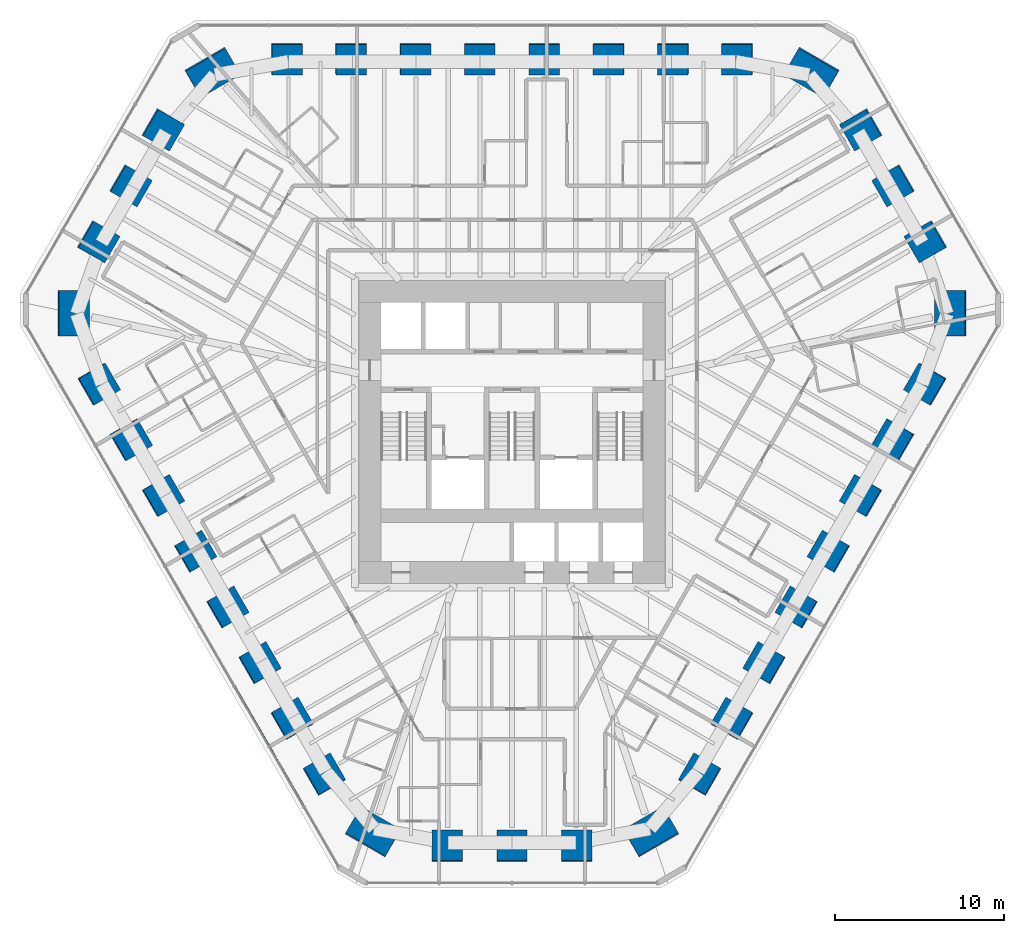
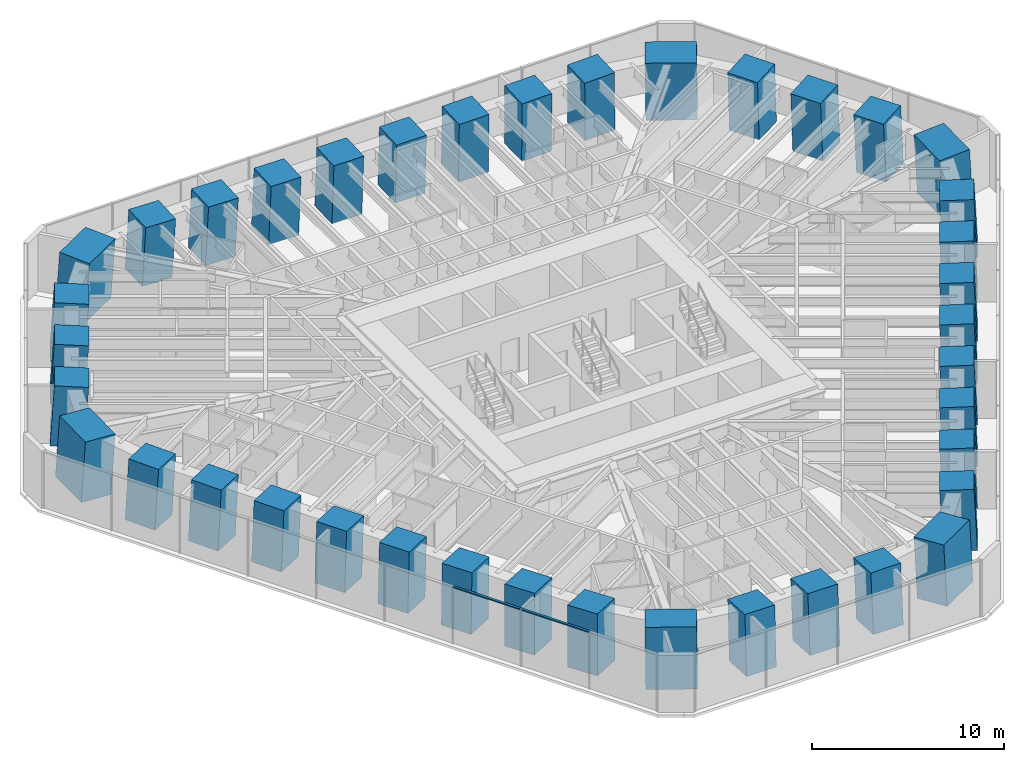
# One storey, part 1 of 17: 39 columns, 2 members, 1 element without a shape of its own.
"""IFC4 building model written with IfcOpenShell, lengths in metres."""

from ifc_helpers import new_model, si_unit, direction, frame, origin, origin_2d, place, context, subcontext, project, spatial, rectangle, extrude, material, material_profile, profile_set, type_object, element, aggregate, save


model = new_model("IFC4")

# Units and contexts
model_context = context("Model", 3, precision=1e-05, world=origin(), true_north=direction((0.0, 1.0)))
body_context = subcontext(model_context, "Body", "Model", "MODEL_VIEW")
ifc_project = project(units=[si_unit("LENGTHUNIT", "METRE"), si_unit("AREAUNIT", "SQUARE_METRE"), si_unit("VOLUMEUNIT", "CUBIC_METRE"), si_unit("PLANEANGLEUNIT", "RADIAN"), si_unit("MASSUNIT", "GRAM", prefix="KILO")], contexts=[model_context])

# Site, building, storey
site_placement = place(None, origin())
site = spatial("IfcSite", under=ifc_project, at=site_placement, CompositionType="ELEMENT")
building_placement = place(site_placement, origin())
building = spatial("IfcBuilding", under=site, at=building_placement, Name="Sandreach Pilgrim Tower", CompositionType="ELEMENT")
storey_placement = place(building_placement, frame((0.0, 0.0, 165.199951171875)))
storey = spatial("IfcBuildingStorey", under=building, at=storey_placement, Name="L41", CompositionType="ELEMENT", Elevation=165.199951171875)

# Columns
ifc_material_1 = material(Name="Concrete 10000 psi", Category="concrete")
ifc_material_profile_1 = material_profile(ifc_material_1, rectangle(XDim=1.800048828125, YDim=1.800048828125, at=origin_2d()), Name="RC1800X1800")
ifc_profile_set_1 = profile_set([ifc_material_profile_1], Name="Concrete 10000 psi")
column_type_1 = type_object("IfcColumnType", Name="Raked tube column RC1800X1800", PredefinedType="COLUMN", material=ifc_profile_set_1)
column_1_placement = place(storey_placement, frame((-13.32080078125, 20.51171875, 0.0), z_axis=(0.030661135463, -0.047274595892, 0.998411241601), x_axis=(0.002050973072, 0.99888175137, 0.047233889215)))
element("IfcColumn", 1, at=column_1_placement, inside=storey, type_object=column_type_1, Name="COL L41 T01", PredefinedType="COLUMN", context=body_context, shape_type="SweptSolid", body=[
    extrude(rectangle(XDim=1.800048828125, YDim=1.800048828125, at=origin_2d()), origin(), (0.0, 0.0, 1.0), 3.80615234375),
])
column_2_placement = place(storey_placement, frame((-9.51513671875, 20.511962890625, 0.0), z_axis=(0.021942566414, -0.047221429475, 0.998643410021), x_axis=(0.000382067755, 0.998884231529, 0.047224421923)))
element("IfcColumn", 2, at=column_2_placement, inside=storey, type_object=column_type_1, Name="COL L41 T02", PredefinedType="COLUMN", context=body_context, shape_type="SweptSolid", body=[
    extrude(rectangle(XDim=1.800048828125, YDim=1.800048828125, at=origin_2d()), origin(), (0.0, 0.0, 1.0), 3.80517578125),
])
column_3_placement = place(storey_placement, frame((-5.709228515625, 20.512451171875, 0.0), z_axis=(0.013154697203, -0.047292740677, 0.998794448633), x_axis=(0.000782060789, 0.998881059673, 0.047286541504)))
element("IfcColumn", 3, at=column_3_placement, inside=storey, type_object=column_type_1, Name="COL L41 T03", PredefinedType="COLUMN", context=body_context, shape_type="SweptSolid", body=[
    extrude(rectangle(XDim=1.800048828125, YDim=1.800048828125, at=origin_2d()), origin(), (0.0, 0.0, 1.0), 3.8046875),
])
for number, where, z_axis, x_axis, name in (
    (4, (-1.903076171875, 20.5126953125, 0.0), (0.004363858594, -0.047232351844, 0.998874397348), (0.000587857676, 0.998883856967, 0.047230230929), "COL L41 T04"),
    (5, (1.903076171875, 20.5126953125, 0.0), (-0.004363858594, -0.047232351844, 0.998874397348), (-0.000587857676, 0.998883856967, 0.047230230929), "COL L41 T05"),
):
    element("IfcColumn", number, at=place(storey_placement, frame(where, z_axis=z_axis, x_axis=x_axis)), inside=storey, type_object=column_type_1, Name=name, PredefinedType="COLUMN", context=body_context, shape_type="SweptSolid", body=[
        extrude(rectangle(XDim=1.800048828125, YDim=1.800048828125, at=origin_2d()), origin(), (0.0, 0.0, 1.0), 3.804443359375),
    ])
column_4_placement = place(storey_placement, frame((5.709228515625, 20.512451171875, 0.0), z_axis=(-0.013154697203, -0.047292740677, 0.998794448633), x_axis=(-0.000782060789, 0.998881059673, 0.047286541504)))
element("IfcColumn", 6, at=column_4_placement, inside=storey, type_object=column_type_1, Name="COL L41 T06", PredefinedType="COLUMN", context=body_context, shape_type="SweptSolid", body=[
    extrude(rectangle(XDim=1.800048828125, YDim=1.800048828125, at=origin_2d()), origin(), (0.0, 0.0, 1.0), 3.8046875),
])
column_5_placement = place(storey_placement, frame((9.51513671875, 20.511962890625, 0.0), z_axis=(-0.021942566414, -0.047221429475, 0.998643410021), x_axis=(-0.000382067755, 0.998884231529, 0.047224421923)))
element("IfcColumn", 7, at=column_5_placement, inside=storey, type_object=column_type_1, Name="COL L41 T07", PredefinedType="COLUMN", context=body_context, shape_type="SweptSolid", body=[
    extrude(rectangle(XDim=1.800048828125, YDim=1.800048828125, at=origin_2d()), origin(), (0.0, 0.0, 1.0), 3.80517578125),
])
column_6_placement = place(storey_placement, frame((13.32080078125, 20.51171875, 0.0), z_axis=(-0.030661135463, -0.047274595892, 0.998411241601), x_axis=(-0.002050973072, 0.99888175137, 0.047233889215)))
element("IfcColumn", 8, at=column_6_placement, inside=storey, type_object=column_type_1, Name="COL L41 T08", PredefinedType="COLUMN", context=body_context, shape_type="SweptSolid", body=[
    extrude(rectangle(XDim=1.800048828125, YDim=1.800048828125, at=origin_2d()), origin(), (0.0, 0.0, 1.0), 3.80615234375),
])
column_7_placement = place(storey_placement, frame((20.63134765625, 16.32568359375, 0.0), z_axis=(-0.046752521918, -0.037004396634, 0.998220855484), x_axis=(0.864714175605, 0.498788120692, 0.058989873412)))
element("IfcColumn", 9, at=column_7_placement, inside=storey, type_object=column_type_1, Name="COL L41 T10", PredefinedType="COLUMN", context=body_context, shape_type="SweptSolid", body=[
    extrude(rectangle(XDim=1.800048828125, YDim=1.800048828125, at=origin_2d()), origin(), (0.0, 0.0, 1.0), 3.806884765625),
])
column_8_placement = place(storey_placement, frame((22.54296875, 13.015380859375, 0.0), z_axis=(-0.051051307179, -0.029566146494, 0.998258286726), x_axis=(0.863844651385, 0.500291940061, 0.058994855565)))
element("IfcColumn", 10, at=column_8_placement, inside=storey, type_object=column_type_1, Name="COL L41 T11", PredefinedType="COLUMN", context=body_context, shape_type="SweptSolid", body=[
    extrude(rectangle(XDim=1.800048828125, YDim=1.800048828125, at=origin_2d()), origin(), (0.0, 0.0, 1.0), 3.806640625),
])
column_9_placement = place(storey_placement, frame((24.4541015625, 9.704345703125, 0.0), z_axis=(-0.055474357171, -0.021997346254, 0.998217768052), x_axis=(0.864392866486, 0.499338696598, 0.059040989556)))
element("IfcColumn", 11, at=column_9_placement, inside=storey, type_object=column_type_1, Name="COL L41 T12", PredefinedType="COLUMN", context=body_context, shape_type="SweptSolid", body=[
    extrude(rectangle(XDim=1.800048828125, YDim=1.800048828125, at=origin_2d()), origin(), (0.0, 0.0, 1.0), 3.806884765625),
])
column_10_placement = place(storey_placement, frame((24.424072265625, 1.2802734375, 0.0), z_axis=(-0.056254891991, -0.00295065568, 0.998412079634), x_axis=(0.864347415637, -0.500673227443, 0.047221440093)))
element("IfcColumn", 12, at=column_10_placement, inside=storey, type_object=column_type_1, Name="COL L41 T14", PredefinedType="COLUMN", context=body_context, shape_type="SweptSolid", body=[
    extrude(rectangle(XDim=1.800048828125, YDim=1.800048828125, at=origin_2d()), origin(), (0.0, 0.0, 1.0), 3.80615234375),
])
column_11_placement = place(storey_placement, frame((22.521484375, -2.015625, 0.0), z_axis=(-0.051840982441, 0.004619493485, 0.998644667947), x_axis=(0.864736789886, -0.500002204734, 0.047202536779)))
element("IfcColumn", 13, at=column_11_placement, inside=storey, type_object=column_type_1, Name="COL L41 T15", PredefinedType="COLUMN", context=body_context, shape_type="SweptSolid", body=[
    extrude(rectangle(XDim=1.800048828125, YDim=1.800048828125, at=origin_2d()), origin(), (0.0, 0.0, 1.0), 3.80517578125),
])
column_12_placement = place(storey_placement, frame((20.618896484375, -5.31201171875, 0.0), z_axis=(-0.047485357254, 0.012256355724, 0.998796737375), x_axis=(0.864520860373, -0.500371769288, 0.047241660431)))
element("IfcColumn", 14, at=column_12_placement, inside=storey, type_object=column_type_1, Name="COL L41 T16", PredefinedType="COLUMN", context=body_context, shape_type="SweptSolid", body=[
    extrude(rectangle(XDim=1.800048828125, YDim=1.800048828125, at=origin_2d()), origin(), (0.0, 0.0, 1.0), 3.8046875),
])
for number, where, z_axis, x_axis, name in (
    (15, (18.716064453125, -8.608154296875, 0.0), (-0.043125124656, 0.019829856427, 0.998872864992), (0.865002196318, -0.499537256443, 0.047262350669), "COL L41 T17"),
    (16, (16.81298828125, -11.904541015625, 0.0), (-0.038697188268, 0.027402486551, 0.998875183069), (0.865138563863, -0.499305644722, 0.047213752927), "COL L41 T18"),
):
    element("IfcColumn", number, at=place(storey_placement, frame(where, z_axis=z_axis, x_axis=x_axis)), inside=storey, type_object=column_type_1, Name=name, PredefinedType="COLUMN", context=body_context, shape_type="SweptSolid", body=[
        extrude(rectangle(XDim=1.800048828125, YDim=1.800048828125, at=origin_2d()), origin(), (0.0, 0.0, 1.0), 3.804443359375),
    ])
column_13_placement = place(storey_placement, frame((14.90966796875, -15.200439453125, 0.0), z_axis=(-0.034330688643, 0.034972383758, 0.99879844623), x_axis=(0.86556895094, -0.498559709879, 0.047208122752)))
element("IfcColumn", 17, at=column_13_placement, inside=storey, type_object=column_type_1, Name="COL L41 T19", PredefinedType="COLUMN", context=body_context, shape_type="SweptSolid", body=[
    extrude(rectangle(XDim=1.800048828125, YDim=1.800048828125, at=origin_2d()), origin(), (0.0, 0.0, 1.0), 3.8046875),
])
column_14_placement = place(storey_placement, frame((13.00634765625, -18.496337890625, 0.0), z_axis=(-0.029962490236, 0.042601913311, 0.998642742006), x_axis=(0.865617982926, -0.498471929182, 0.047236039769)))
element("IfcColumn", 18, at=column_14_placement, inside=storey, type_object=column_type_1, Name="COL L41 T20", PredefinedType="COLUMN", context=body_context, shape_type="SweptSolid", body=[
    extrude(rectangle(XDim=1.800048828125, YDim=1.800048828125, at=origin_2d()), origin(), (0.0, 0.0, 1.0), 3.80517578125),
])
column_15_placement = place(storey_placement, frame((11.103271484375, -21.7919921875, 0.0), z_axis=(-0.025593758171, 0.050161200226, 0.998413147717), x_axis=(0.866070092213, -0.497688888416, 0.047205568746)))
element("IfcColumn", 19, at=column_15_placement, inside=storey, type_object=column_type_1, Name="COL L41 T21", PredefinedType="COLUMN", context=body_context, shape_type="SweptSolid", body=[
    extrude(rectangle(XDim=1.800048828125, YDim=1.800048828125, at=origin_2d()), origin(), (0.0, 0.0, 1.0), 3.80615234375),
])
column_16_placement = place(storey_placement, frame((3.82275390625, -26.030029296875, 0.0), z_axis=(-0.008657869889, 0.059001779984, 0.998220332015), x_axis=(-0.000629006962, -0.998257870617, 0.058998543208)))
element("IfcColumn", 20, at=column_16_placement, inside=storey, type_object=column_type_1, Name="COL L41 T23", PredefinedType="COLUMN", context=body_context, shape_type="SweptSolid", body=[
    extrude(rectangle(XDim=1.800048828125, YDim=1.800048828125, at=origin_2d()), origin(), (0.0, 0.0, 1.0), 3.806884765625),
])
column_17_placement = place(storey_placement, frame((0.0, -26.030517578125, 0.0), z_axis=(0.0, 0.059003991457, 0.998257746773), x_axis=(0.0, -0.998257746773, 0.059003991457)))
element("IfcColumn", 21, at=column_17_placement, inside=storey, type_object=column_type_1, Name="COL L41 T24", PredefinedType="COLUMN", context=body_context, shape_type="SweptSolid", body=[
    extrude(rectangle(XDim=1.800048828125, YDim=1.800048828125, at=origin_2d()), origin(), (0.0, 0.0, 1.0), 3.806640625),
])
column_18_placement = place(storey_placement, frame((-3.82275390625, -26.030029296875, 0.0), z_axis=(0.008657869889, 0.059001779984, 0.998220332015), x_axis=(0.000629006962, -0.998257870617, 0.058998543208)))
element("IfcColumn", 22, at=column_18_placement, inside=storey, type_object=column_type_1, Name="COL L41 T25", PredefinedType="COLUMN", context=body_context, shape_type="SweptSolid", body=[
    extrude(rectangle(XDim=1.800048828125, YDim=1.800048828125, at=origin_2d()), origin(), (0.0, 0.0, 1.0), 3.806884765625),
])
column_19_placement = place(storey_placement, frame((-11.103271484375, -21.7919921875, 0.0), z_axis=(0.025593758171, 0.050161200226, 0.998413147717), x_axis=(-0.866070092213, -0.497688888416, 0.047205568746)))
element("IfcColumn", 23, at=column_19_placement, inside=storey, type_object=column_type_1, Name="COL L41 T27", PredefinedType="COLUMN", context=body_context, shape_type="SweptSolid", body=[
    extrude(rectangle(XDim=1.800048828125, YDim=1.800048828125, at=origin_2d()), origin(), (0.0, 0.0, 1.0), 3.80615234375),
])
column_20_placement = place(storey_placement, frame((-13.00634765625, -18.496337890625, 0.0), z_axis=(0.029962490236, 0.042601913311, 0.998642742006), x_axis=(-0.865617982926, -0.498471929182, 0.047236039769)))
element("IfcColumn", 24, at=column_20_placement, inside=storey, type_object=column_type_1, Name="COL L41 T28", PredefinedType="COLUMN", context=body_context, shape_type="SweptSolid", body=[
    extrude(rectangle(XDim=1.800048828125, YDim=1.800048828125, at=origin_2d()), origin(), (0.0, 0.0, 1.0), 3.80517578125),
])
column_21_placement = place(storey_placement, frame((-14.90966796875, -15.200439453125, 0.0), z_axis=(0.034330688643, 0.034972383758, 0.99879844623), x_axis=(-0.86556895094, -0.498559709879, 0.047208122752)))
element("IfcColumn", 25, at=column_21_placement, inside=storey, type_object=column_type_1, Name="COL L41 T29", PredefinedType="COLUMN", context=body_context, shape_type="SweptSolid", body=[
    extrude(rectangle(XDim=1.800048828125, YDim=1.800048828125, at=origin_2d()), origin(), (0.0, 0.0, 1.0), 3.8046875),
])
for number, where, z_axis, x_axis, name in (
    (26, (-16.81298828125, -11.904541015625, 0.0), (0.038697188268, 0.027402486551, 0.998875183069), (-0.865138563863, -0.499305644722, 0.047213752927), "COL L41 T30"),
    (27, (-18.716064453125, -8.608154296875, 0.0), (0.043125124656, 0.019829856427, 0.998872864992), (-0.865002196318, -0.499537256443, 0.047262350669), "COL L41 T31"),
):
    element("IfcColumn", number, at=place(storey_placement, frame(where, z_axis=z_axis, x_axis=x_axis)), inside=storey, type_object=column_type_1, Name=name, PredefinedType="COLUMN", context=body_context, shape_type="SweptSolid", body=[
        extrude(rectangle(XDim=1.800048828125, YDim=1.800048828125, at=origin_2d()), origin(), (0.0, 0.0, 1.0), 3.804443359375),
    ])
column_22_placement = place(storey_placement, frame((-20.618896484375, -5.31201171875, 0.0), z_axis=(0.047485357254, 0.012256355724, 0.998796737375), x_axis=(-0.864520860373, -0.500371769288, 0.047241660431)))
element("IfcColumn", 28, at=column_22_placement, inside=storey, type_object=column_type_1, Name="COL L41 T32", PredefinedType="COLUMN", context=body_context, shape_type="SweptSolid", body=[
    extrude(rectangle(XDim=1.800048828125, YDim=1.800048828125, at=origin_2d()), origin(), (0.0, 0.0, 1.0), 3.8046875),
])
column_23_placement = place(storey_placement, frame((-22.521484375, -2.015625, 0.0), z_axis=(0.051840982441, 0.004619493485, 0.998644667947), x_axis=(-0.864736789886, -0.500002204734, 0.047202536779)))
element("IfcColumn", 29, at=column_23_placement, inside=storey, type_object=column_type_1, Name="COL L41 T33", PredefinedType="COLUMN", context=body_context, shape_type="SweptSolid", body=[
    extrude(rectangle(XDim=1.800048828125, YDim=1.800048828125, at=origin_2d()), origin(), (0.0, 0.0, 1.0), 3.80517578125),
])
column_24_placement = place(storey_placement, frame((-24.424072265625, 1.2802734375, 0.0), z_axis=(0.056254891991, -0.00295065568, 0.998412079634), x_axis=(-0.864347415637, -0.500673227443, 0.047221440093)))
element("IfcColumn", 30, at=column_24_placement, inside=storey, type_object=column_type_1, Name="COL L41 T34", PredefinedType="COLUMN", context=body_context, shape_type="SweptSolid", body=[
    extrude(rectangle(XDim=1.800048828125, YDim=1.800048828125, at=origin_2d()), origin(), (0.0, 0.0, 1.0), 3.80615234375),
])
column_25_placement = place(storey_placement, frame((-24.4541015625, 9.704345703125, 0.0), z_axis=(0.055474357171, -0.021997346254, 0.998217768052), x_axis=(-0.864392866486, 0.499338696598, 0.059040989556)))
element("IfcColumn", 31, at=column_25_placement, inside=storey, type_object=column_type_1, Name="COL L41 T36", PredefinedType="COLUMN", context=body_context, shape_type="SweptSolid", body=[
    extrude(rectangle(XDim=1.800048828125, YDim=1.800048828125, at=origin_2d()), origin(), (0.0, 0.0, 1.0), 3.806884765625),
])
column_26_placement = place(storey_placement, frame((-22.54296875, 13.015380859375, 0.0), z_axis=(0.051051307179, -0.029566146494, 0.998258286726), x_axis=(-0.863844651385, 0.500291940061, 0.058994855565)))
element("IfcColumn", 32, at=column_26_placement, inside=storey, type_object=column_type_1, Name="COL L41 T37", PredefinedType="COLUMN", context=body_context, shape_type="SweptSolid", body=[
    extrude(rectangle(XDim=1.800048828125, YDim=1.800048828125, at=origin_2d()), origin(), (0.0, 0.0, 1.0), 3.806640625),
])
column_27_placement = place(storey_placement, frame((-20.63134765625, 16.32568359375, 0.0), z_axis=(0.046752521918, -0.037004396634, 0.998220855484), x_axis=(-0.864714175605, 0.498788120692, 0.058989873412)))
element("IfcColumn", 33, at=column_27_placement, inside=storey, type_object=column_type_1, Name="COL L41 T38", PredefinedType="COLUMN", context=body_context, shape_type="SweptSolid", body=[
    extrude(rectangle(XDim=1.800048828125, YDim=1.800048828125, at=origin_2d()), origin(), (0.0, 0.0, 1.0), 3.806884765625),
])
ifc_material_2 = material(Name="Concrete 10000 psi", Category="concrete")
ifc_material_profile_2 = material_profile(ifc_material_2, rectangle(XDim=1.800048828125, YDim=2.699951171875, at=origin_2d()), Name="RC1800X2700")
ifc_profile_set_2 = profile_set([ifc_material_profile_2], Name="Concrete 10000 psi")
column_type_2 = type_object("IfcColumnType", Name="Raked tube corner pier RC1800X2700", PredefinedType="COLUMN", material=ifc_profile_set_2)
for number, where, z_axis, x_axis, name in (
    (34, (17.71044921875, 19.723388671875, 0.0), (-0.041104231686, -0.045721243669, 0.998108215583), (0.498947322019, 0.864542350844, 0.060150589757), "COL L41 T09"),
    (35, (25.936279296875, 5.47607421875, 0.0), (-0.060213274772, -0.012760853759, 0.998103963599), (0.998185244416, -7.28407e-06, 0.060218085125), "COL L41 T13"),
    (36, (8.225830078125, -25.199462890625, 0.0), (-0.019109248601, 0.058481995719, 0.998105551931), (0.500012624267, -0.863923719226, 0.060192881077), "COL L41 T22"),
    (37, (-8.225830078125, -25.199462890625, 0.0), (0.019109248601, 0.058481995719, 0.998105551931), (-0.500012624267, -0.863923719226, 0.060192881077), "COL L41 T26"),
    (38, (-25.936279296875, 5.47607421875, 0.0), (0.060213274772, -0.012760853759, 0.998103963599), (-0.998185244416, -7.28407e-06, 0.060218085125), "COL L41 T35"),
    (39, (-17.71044921875, 19.723388671875, 0.0), (0.041104231686, -0.045721243669, 0.998108215583), (-0.498947322019, 0.864542350844, 0.060150589757), "COL L41 T39"),
):
    element("IfcColumn", number, at=place(storey_placement, frame(where, z_axis=z_axis, x_axis=x_axis)), inside=storey, type_object=column_type_2, Name=name, PredefinedType="COLUMN", context=body_context, shape_type="SweptSolid", body=[
        extrude(rectangle(XDim=1.800048828125, YDim=2.699951171875, at=origin_2d()), origin(), (0.0, 0.0, 1.0), 3.807373046875),
    ])

# Curtain wall, members
ifc_material_3 = material(Name="Aluminium framed curtain wall", Category="aluminium")
curtain_wall_type = type_object("IfcCurtainWallType", Name="Hotel tower curtain wall", PredefinedType="NOTDEFINED", material=ifc_material_3)
curtain_wall_placement = place(storey_placement, origin())
curtain_wall = element("IfcCurtainWall", 40, at=curtain_wall_placement, inside=storey, type_object=curtain_wall_type, Name="CW-2 L41 SW", PredefinedType="NOTDEFINED")
ifc_material_4 = material(Name="Aluminium extrusion", Category="aluminium")
ifc_material_profile_3 = material_profile(ifc_material_4, rectangle(XDim=0.139892578125, YDim=0.070068359375, at=origin_2d()), Name="CW-2T 140X70")
ifc_profile_set_3 = profile_set([ifc_material_profile_3], Name="Aluminium extrusion")
member_type = type_object("IfcMemberType", Name="CW-2 transom", PredefinedType="USERDEFINED", material=ifc_profile_set_3)
member_1_placement = place(storey_placement, frame((-12.309326171875, -23.667236328125, 3.60498046875), z_axis=(-0.500023973715, 0.866011562111, 0.0), x_axis=(-0.866011562111, -0.500023973715, 0.0)))
member_1 = element("IfcMember", 41, at=member_1_placement, type_object=member_type, Name="CW-2 head transom 2", ObjectType="TRANSOM", PredefinedType="USERDEFINED", context=body_context, shape_type="SweptSolid", body=[
    extrude(rectangle(XDim=0.139892578125, YDim=0.070068359375, at=origin_2d()), origin(), (0.0, 0.0, 1.0), 4.041748046875),
])
member_2_placement = place(storey_placement, frame((-14.36279296875, -20.110595703125, 3.60498046875), z_axis=(-0.499997818338, 0.866026663364, 0.0), x_axis=(-0.866026663364, -0.499997818338, 0.0)))
member_2 = element("IfcMember", 42, at=member_2_placement, type_object=member_type, Name="CW-2 head transom 3", ObjectType="TRANSOM", PredefinedType="USERDEFINED", context=body_context, shape_type="SweptSolid", body=[
    extrude(rectangle(XDim=0.139892578125, YDim=0.070068359375, at=origin_2d()), origin(), (0.0, 0.0, 1.0), 4.0419921875),
])
aggregate(curtain_wall, [member_1, member_2])

save(model, "model.ifc")
